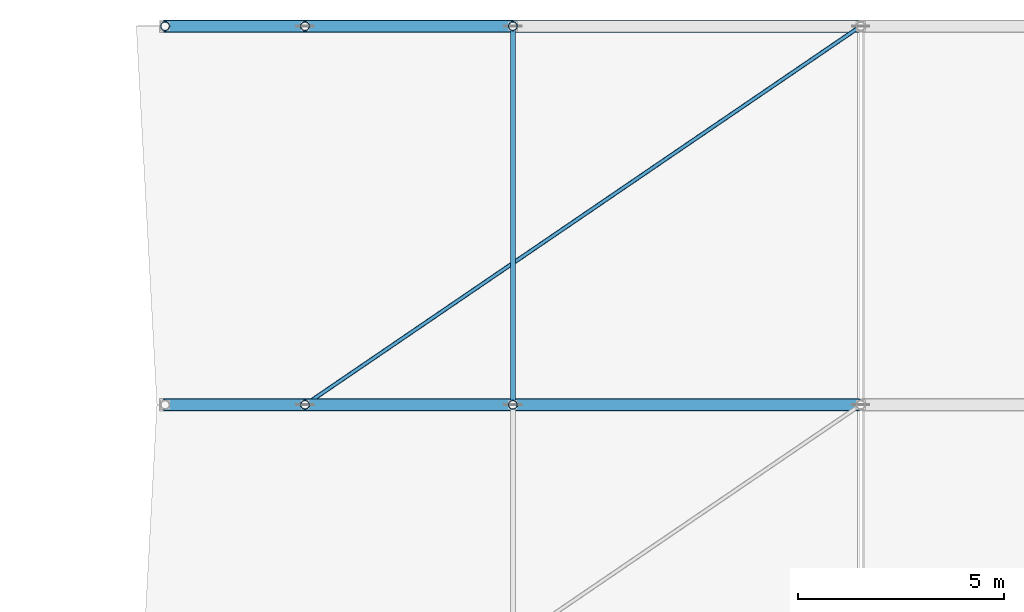
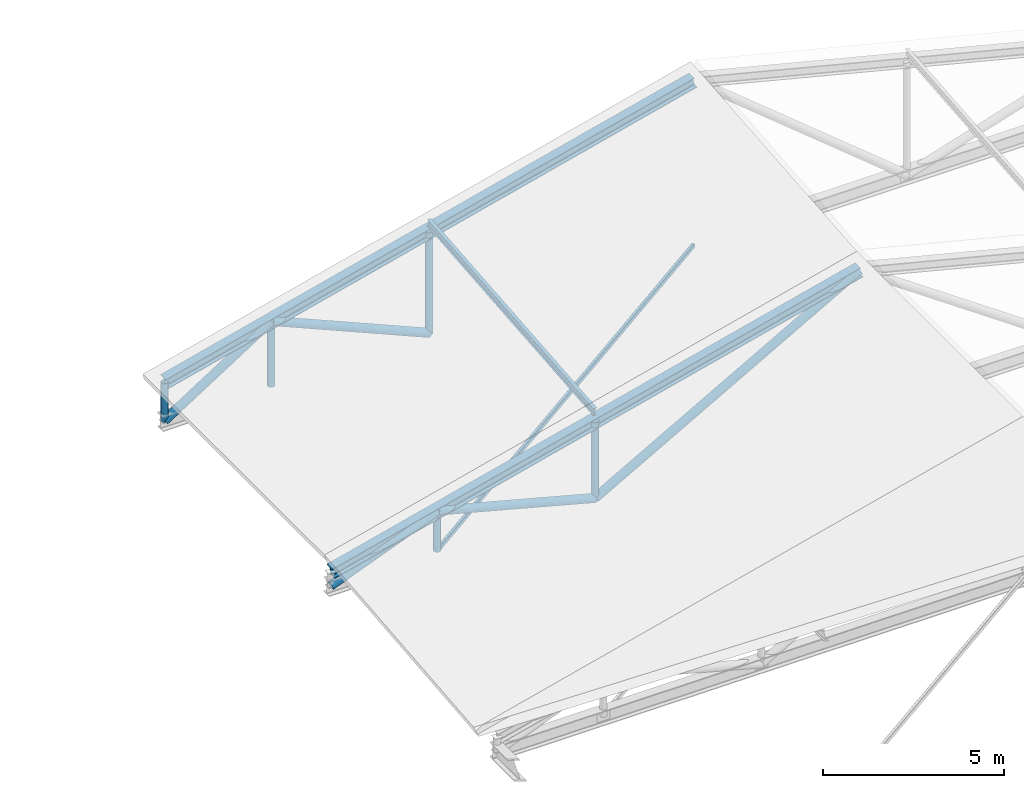
# One storey, part 33 of 56: 14 members.
"""IFC4 building model written with IfcOpenShell, lengths in metres."""

from ifc_helpers import new_model, si_unit, direction, frame, origin, origin_2d, place, context, subcontext, project, spatial, hollow_rectangle, hollow_circle, i_section, extrude, material, material_profile, profile_set, type_object, element, save


model = new_model("IFC4")

# Units and contexts
model_context = context("Model", 3, precision=1e-05, world=origin(), true_north=direction((0.0, 1.0)))
body_context = subcontext(model_context, "Body", "Model", "MODEL_VIEW")
ifc_project = project(units=[si_unit("LENGTHUNIT", "METRE"), si_unit("AREAUNIT", "SQUARE_METRE"), si_unit("VOLUMEUNIT", "CUBIC_METRE"), si_unit("PLANEANGLEUNIT", "RADIAN"), si_unit("MASSUNIT", "GRAM", prefix="KILO")], contexts=[model_context])

# Site, building, storey
site_placement = place(None, origin())
site = spatial("IfcSite", under=ifc_project, at=site_placement, CompositionType="ELEMENT")
building_placement = place(site_placement, origin())
building = spatial("IfcBuilding", under=site, at=building_placement, Name="Bozkorgan Art Gallery", CompositionType="ELEMENT")
storey_placement = place(building_placement, frame((0.0, 0.0, 24.0)))
storey = spatial("IfcBuildingStorey", under=building, at=storey_placement, Name="L05", CompositionType="ELEMENT", Elevation=24.0)

# Members
ifc_material = material(Name="Steel S355J2", Category="steel")
ifc_material_profile_1 = material_profile(ifc_material, i_section(OverallWidth=0.1201171875, OverallDepth=0.239990234375, WebThickness=0.006103515625, FlangeThickness=0.009765625, FilletRadius=0.014892578125, at=origin_2d()), Name="IPE 240")
ifc_profile_set_1 = profile_set([ifc_material_profile_1], Name="Steel S355J2")
member_type_1 = type_object("IfcMemberType", Name="MEMBER-PR-34", PredefinedType="PURLIN", material=ifc_profile_set_1)
member_1_placement = place(storey_placement, frame((142.050048828125, 84.39990234375, 3.159912109375), z_axis=(0.0, 0.99591181494, 0.090330819007), x_axis=(-1.0, 0.0, 0.0)))
element("IfcMember", 1, at=member_1_placement, inside=storey, type_object=member_type_1, Name="ROOF-V5-MAIN roof purlin 4W", PredefinedType="PURLIN", context=body_context, shape_type="SweptSolid", body=[
    extrude(i_section(OverallWidth=0.1201171875, OverallDepth=0.239990234375, WebThickness=0.006103515625, FlangeThickness=0.009765625, FilletRadius=0.014892578125, at=origin_2d()), origin(), (0.0, 0.0, 1.0), 9.238037109375),
])
ifc_material_profile_2 = material_profile(ifc_material, i_section(OverallWidth=0.300048828125, OverallDepth=0.35009765625, WebThickness=0.010009765625, FlangeThickness=0.017578125, FilletRadius=0.027099609375, at=origin_2d()), Name="HEA 360")
ifc_profile_set_2 = profile_set([ifc_material_profile_2], Name="Steel S355J2")
member_type_2 = type_object("IfcMemberType", Name="MEMBER-TC-31", PredefinedType="CHORD", material=ifc_profile_set_2)
for number, where, z_axis, x_axis, name in (
    (2, (133.60009765625, 84.39990234375, 0.726806640625), (0.969444879631, 0.0, 0.245309244339), (0.0, 1.0, 0.0), "ROOF-V5-MAIN roof truss 4 west top chord"),
    (3, (133.60009765625, 93.60009765625, 1.56103515625), (0.969444879631, 0.0, 0.245309244339), (0.0, 1.0, 0.0), "ROOF-V5-MAIN roof truss 5 west top chord"),
):
    element("IfcMember", number, at=place(storey_placement, frame(where, z_axis=z_axis, x_axis=x_axis)), inside=storey, type_object=member_type_2, Name=name, PredefinedType="CHORD", context=body_context, shape_type="SweptSolid", body=[
        extrude(i_section(OverallWidth=0.300048828125, OverallDepth=0.35009765625, WebThickness=0.010009765625, FlangeThickness=0.017578125, FilletRadius=0.027099609375, at=origin_2d()), origin(), (0.0, 0.0, 1.0), 17.4326171875),
    ])
ifc_material_profile_3 = material_profile(ifc_material, hollow_circle(Radius=0.109619140625, WallThickness=0.010009765625, at=origin_2d()), Name="CHS 219.1x10")
ifc_profile_set_3 = profile_set([ifc_material_profile_3], Name="Steel S355J2")
member_type_3 = type_object("IfcMemberType", Name="MEMBER-TP-78", PredefinedType="POST", material=ifc_profile_set_3)
member_2_placement = place(storey_placement, frame((137.0, 84.39990234375, 0.25), z_axis=(0.0, 0.0, 1.0), x_axis=(1.0, 0.0, 0.0)))
element("IfcMember", 4, at=member_2_placement, inside=storey, type_object=member_type_3, Name="ROOF-V5-MAIN roof truss 4 post 1", PredefinedType="POST", context=body_context, shape_type="SweptSolid", body=[
    extrude(hollow_circle(Radius=0.109619140625, WallThickness=0.010009765625, at=origin_2d()), origin(), (0.0, 0.0, 1.0), 1.337158203125),
])
member_3_placement = place(storey_placement, frame((142.050048828125, 84.39990234375, 0.25), z_axis=(0.0, 0.0, 1.0), x_axis=(1.0, 0.0, 0.0)))
element("IfcMember", 5, at=member_3_placement, inside=storey, type_object=member_type_3, Name="ROOF-V5-MAIN roof truss 4 post 2", PredefinedType="POST", context=body_context, shape_type="SweptSolid", body=[
    extrude(hollow_circle(Radius=0.109619140625, WallThickness=0.010009765625, at=origin_2d()), origin(), (0.0, 0.0, 1.0), 2.614990234375),
])
member_4_placement = place(storey_placement, frame((133.60009765625, 93.60009765625, 0.25), z_axis=(0.0, 0.0, 1.0), x_axis=(1.0, 0.0, 0.0)))
element("IfcMember", 6, at=member_4_placement, inside=storey, type_object=member_type_3, Name="ROOF-V5-MAIN roof truss 5 post 0", PredefinedType="POST", context=body_context, shape_type="SweptSolid", body=[
    extrude(hollow_circle(Radius=0.109619140625, WallThickness=0.010009765625, at=origin_2d()), origin(), (0.0, 0.0, 1.0), 1.31103515625),
])
member_5_placement = place(storey_placement, frame((137.0, 93.60009765625, 0.25), z_axis=(0.0, 0.0, 1.0), x_axis=(1.0, 0.0, 0.0)))
element("IfcMember", 7, at=member_5_placement, inside=storey, type_object=member_type_3, Name="ROOF-V5-MAIN roof truss 5 post 1", PredefinedType="POST", context=body_context, shape_type="SweptSolid", body=[
    extrude(hollow_circle(Radius=0.109619140625, WallThickness=0.010009765625, at=origin_2d()), origin(), (0.0, 0.0, 1.0), 2.17138671875),
])
member_6_placement = place(storey_placement, frame((142.050048828125, 93.60009765625, 0.25), z_axis=(0.0, 0.0, 1.0), x_axis=(1.0, 0.0, 0.0)))
element("IfcMember", 8, at=member_6_placement, inside=storey, type_object=member_type_3, Name="ROOF-V5-MAIN roof truss 5 post 2", PredefinedType="POST", context=body_context, shape_type="SweptSolid", body=[
    extrude(hollow_circle(Radius=0.109619140625, WallThickness=0.010009765625, at=origin_2d()), origin(), (0.0, 0.0, 1.0), 3.44921875),
])
ifc_material_profile_4 = material_profile(ifc_material, hollow_circle(Radius=0.136474609375, WallThickness=0.012451171875, at=origin_2d()), Name="CHS 273x12.5")
ifc_profile_set_4 = profile_set([ifc_material_profile_4], Name="Steel S355J2")
member_type_4 = type_object("IfcMemberType", Name="MEMBER-TW-28", PredefinedType="BRACE", material=ifc_profile_set_4)
member_7_placement = place(storey_placement, frame((133.60009765625, 84.39990234375, 0.25), z_axis=(0.930613345443, 0.0, 0.36600382687), x_axis=(0.0, 1.0, 0.0)))
element("IfcMember", 9, at=member_7_placement, inside=storey, type_object=member_type_4, Name="ROOF-V5-MAIN roof truss 4 diagonal 1", PredefinedType="BRACE", context=body_context, shape_type="SweptSolid", body=[
    extrude(hollow_circle(Radius=0.136474609375, WallThickness=0.012451171875, at=origin_2d()), origin(), (0.0, 0.0, 1.0), 3.6533203125),
])
member_8_placement = place(storey_placement, frame((137.0, 84.39990234375, 1.587158203125), z_axis=(0.966687204454, 0.0, -0.255960639052), x_axis=(0.0, 1.0, 0.0)))
element("IfcMember", 10, at=member_8_placement, inside=storey, type_object=member_type_4, Name="ROOF-V5-MAIN roof truss 4 diagonal 2", PredefinedType="BRACE", context=body_context, shape_type="SweptSolid", body=[
    extrude(hollow_circle(Radius=0.136474609375, WallThickness=0.012451171875, at=origin_2d()), origin(), (0.0, 0.0, 1.0), 5.22412109375),
])
member_9_placement = place(storey_placement, frame((142.050048828125, 84.39990234375, 0.25), z_axis=(0.87157217453, 0.0, 0.49026721753), x_axis=(0.0, 1.0, 0.0)))
element("IfcMember", 11, at=member_9_placement, inside=storey, type_object=member_type_4, Name="ROOF-V5-MAIN roof truss 4 diagonal 3", PredefinedType="BRACE", context=body_context, shape_type="SweptSolid", body=[
    extrude(hollow_circle(Radius=0.136474609375, WallThickness=0.012451171875, at=origin_2d()), origin(), (0.0, 0.0, 1.0), 9.695068359375),
])
member_10_placement = place(storey_placement, frame((133.60009765625, 93.60009765625, 0.25), z_axis=(0.842783196763, 0.0, 0.538253177654), x_axis=(0.0, 1.0, 0.0)))
element("IfcMember", 12, at=member_10_placement, inside=storey, type_object=member_type_4, Name="ROOF-V5-MAIN roof truss 5 diagonal 1", PredefinedType="BRACE", context=body_context, shape_type="SweptSolid", body=[
    extrude(hollow_circle(Radius=0.136474609375, WallThickness=0.012451171875, at=origin_2d()), origin(), (0.0, 0.0, 1.0), 4.0341796875),
])
member_11_placement = place(storey_placement, frame((137.0, 93.60009765625, 2.42138671875), z_axis=(0.91867805191, 0.0, -0.3950071353), x_axis=(0.0, 1.0, 0.0)))
element("IfcMember", 13, at=member_11_placement, inside=storey, type_object=member_type_4, Name="ROOF-V5-MAIN roof truss 5 diagonal 2", PredefinedType="BRACE", context=body_context, shape_type="SweptSolid", body=[
    extrude(hollow_circle(Radius=0.136474609375, WallThickness=0.012451171875, at=origin_2d()), origin(), (0.0, 0.0, 1.0), 5.4970703125),
])
ifc_material_profile_5 = material_profile(ifc_material, hollow_rectangle(XDim=0.10009765625, YDim=0.14990234375, WallThickness=0.008056640625, InnerFilletRadius=0.011962890625, OuterFilletRadius=0.02001953125, at=origin_2d()), Name="RHS 150x100x8")
ifc_profile_set_5 = profile_set([ifc_material_profile_5], Name="Steel S355J2")
member_type_5 = type_object("IfcMemberType", Name="MEMBER-WB-10", PredefinedType="BRACE", material=ifc_profile_set_5)
member_12_placement = place(storey_placement, frame((137.0, 84.39990234375, 0.25), z_axis=(0.826351260122, 0.563155036286, 0.0), x_axis=(-0.563155036286, 0.826351260122, 0.0)))
element("IfcMember", 14, at=member_12_placement, inside=storey, type_object=member_type_5, Name="ROOF-V5-MAIN roof diaphragm wind brace 3", PredefinedType="BRACE", context=body_context, shape_type="SweptSolid", body=[
    extrude(hollow_rectangle(XDim=0.10009765625, YDim=0.14990234375, WallThickness=0.008056640625, InnerFilletRadius=0.011962890625, OuterFilletRadius=0.02001953125, at=origin_2d()), origin(), (0.0, 0.0, 1.0), 16.3369140625),
])

save(model, "model.ifc")
